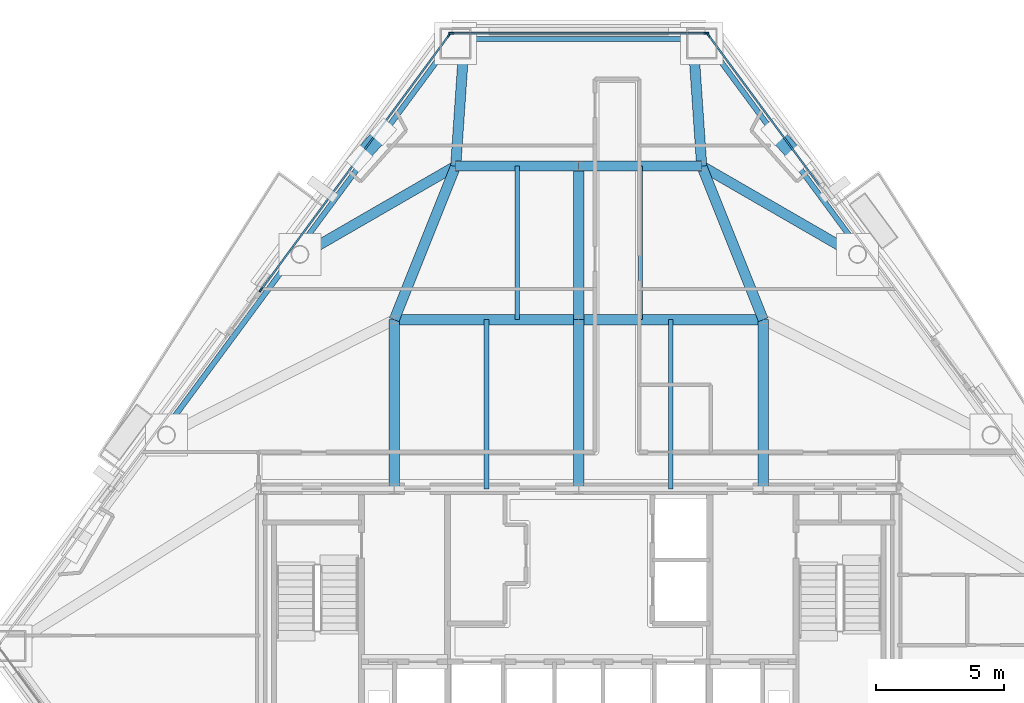
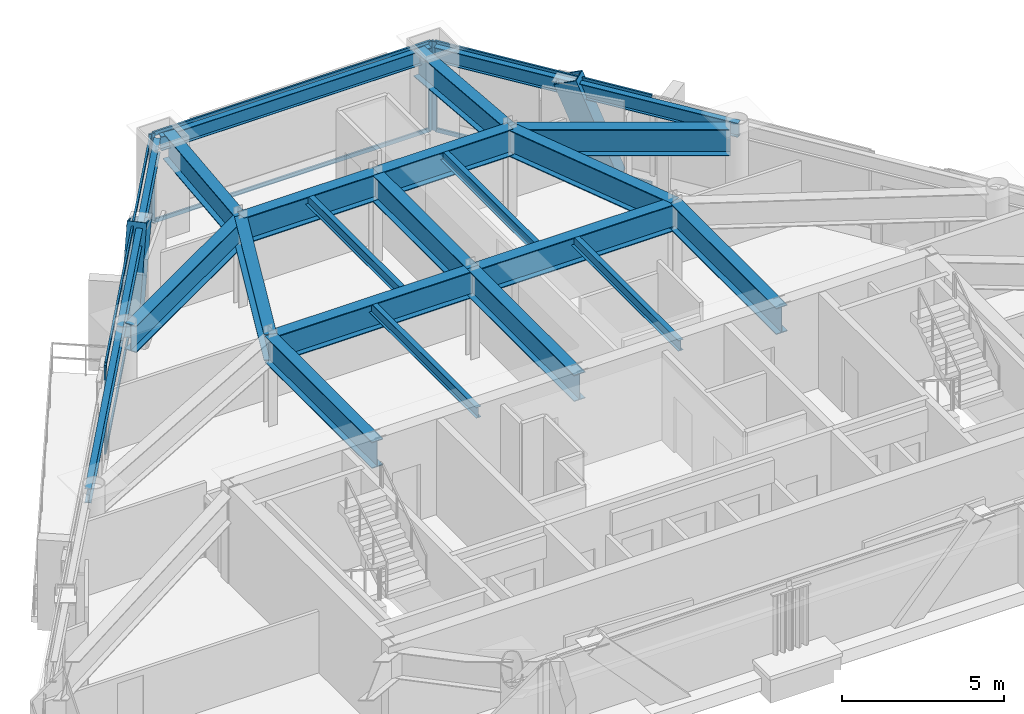
# One storey, part 4 of 11: 22 beams, 13 members, 3 elements without a shape of their own.
"""IFC4 building model written with IfcOpenShell, lengths in metres."""

from ifc_helpers import new_model, si_unit, direction, frame, origin, origin_2d, place, context, subcontext, project, spatial, rectangle, hollow_rectangle, i_section, extrude, material, layer, layer_set, material_profile, profile_set, type_object, element, aggregate, save


model = new_model("IFC4")

# Units and contexts
model_context = context("Model", 3, precision=1e-05, world=origin(), true_north=direction((0.0, 1.0)))
body_context = subcontext(model_context, "Body", "Model", "MODEL_VIEW")
ifc_project = project(units=[si_unit("LENGTHUNIT", "METRE"), si_unit("AREAUNIT", "SQUARE_METRE"), si_unit("VOLUMEUNIT", "CUBIC_METRE"), si_unit("PLANEANGLEUNIT", "RADIAN"), si_unit("MASSUNIT", "GRAM", prefix="KILO")], contexts=[model_context])

# Site, building, storey
site_placement = place(None, origin())
site = spatial("IfcSite", under=ifc_project, at=site_placement, CompositionType="ELEMENT")
building_placement = place(site_placement, origin())
building = spatial("IfcBuilding", under=site, at=building_placement, Name="Talgorran Terracotta Tower", CompositionType="ELEMENT")
storey_placement = place(building_placement, frame((0.0, 0.0, 154.5)))
storey = spatial("IfcBuildingStorey", under=building, at=storey_placement, Name="L40", CompositionType="ELEMENT", Elevation=154.5)

# Beams
ifc_material_1 = material(Name="Steel Grade 350 (350L0)", Category="steel")
ifc_material_profile_1 = material_profile(ifc_material_1, i_section(OverallWidth=0.39990234375, OverallDepth=1.0, WebThickness=0.01611328125, FlangeThickness=0.031005859375, at=origin_2d()), Name="1000WB296")
ifc_profile_set_1 = profile_set([ifc_material_profile_1], Name="Steel Grade 350 (350L0)")
beam_type_1 = type_object("IfcBeamType", Name="BM_1000WB296", PredefinedType="BEAM", material=ifc_profile_set_1)
for number, where, z_axis, x_axis, name in (
    (1, (4.45703125, 13.4345703125, 2.85009765625), (0.067973543266, -0.99768712401, 0.0), (0.99768712401, 0.067973543266, 0.0), "L40 Perimeter Step Girder 9B"),
    (2, (-4.45703125, 13.4345703125, 2.85009765625), (-0.067973543266, -0.99768712401, 0.0), (0.99768712401, -0.067973543266, 0.0), "L40 Perimeter Step Girder 10B"),
):
    element("IfcBeam", number, at=place(storey_placement, frame(where, z_axis=z_axis, x_axis=x_axis)), inside=storey, type_object=beam_type_1, Name=name, PredefinedType="BEAM", context=body_context, shape_type="SweptSolid", body=[
        extrude(i_section(OverallWidth=0.39990234375, OverallDepth=1.0, WebThickness=0.01611328125, FlangeThickness=0.031005859375, at=origin_2d()), origin(), (0.0, 0.0, 1.0), 5.04638671875),
    ])
for number, where, z_axis, x_axis, name in (
    (3, (-7.199951171875, -4.199951171875, 2.85009765625), (0.0, 1.0, 0.0), (-1.0, 0.0, 0.0), "L40 Floor Girder G01"),
    (4, (0.0, -4.199951171875, 2.85009765625), (0.0, 1.0, 0.0), (-1.0, 0.0, 0.0), "L40 Floor Girder G02"),
    (5, (7.199951171875, -4.199951171875, 2.85009765625), (0.0, 1.0, 0.0), (-1.0, 0.0, 0.0), "L40 Floor Girder G03"),
):
    element("IfcBeam", number, at=place(storey_placement, frame(where, z_axis=z_axis, x_axis=x_axis)), inside=storey, type_object=beam_type_1, Name=name, PredefinedType="BEAM", context=body_context, shape_type="SweptSolid", body=[
        extrude(i_section(OverallWidth=0.39990234375, OverallDepth=1.0, WebThickness=0.01611328125, FlangeThickness=0.031005859375, at=origin_2d()), origin(), (0.0, 0.0, 1.0), 6.599853515625),
    ])
for number, where, z_axis, x_axis, name in (
    (6, (-7.199951171875, 2.39990234375, 2.85009765625), (1.0, 0.0, 0.0), (0.0, 1.0, 0.0), "L40 Floor Girder G04"),
    (7, (0.0, 2.39990234375, 2.85009765625), (1.0, 0.0, 0.0), (0.0, 1.0, 0.0), "L40 Floor Girder G05"),
):
    element("IfcBeam", number, at=place(storey_placement, frame(where, z_axis=z_axis, x_axis=x_axis)), inside=storey, type_object=beam_type_1, Name=name, PredefinedType="BEAM", context=body_context, shape_type="SweptSolid", body=[
        extrude(i_section(OverallWidth=0.39990234375, OverallDepth=1.0, WebThickness=0.01611328125, FlangeThickness=0.031005859375, at=origin_2d()), origin(), (0.0, 0.0, 1.0), 7.199951171875),
    ])
beam_1_placement = place(storey_placement, frame((-7.199951171875, 2.39990234375, 2.85009765625), z_axis=(0.371377648723, 0.928481901832, 0.0), x_axis=(-0.928481901832, 0.371377648723, 0.0)))
element("IfcBeam", 8, at=beam_1_placement, inside=storey, type_object=beam_type_1, Name="L40 Floor Girder G08", PredefinedType="BEAM", context=body_context, shape_type="SweptSolid", body=[
    extrude(i_section(OverallWidth=0.39990234375, OverallDepth=1.0, WebThickness=0.01611328125, FlangeThickness=0.031005859375, at=origin_2d()), origin(), (0.0, 0.0, 1.0), 6.462158203125),
])
beam_2_placement = place(storey_placement, frame((0.0, 2.39990234375, 2.85009765625), z_axis=(0.0, 1.0, 0.0), x_axis=(-1.0, 0.0, 0.0)))
element("IfcBeam", 9, at=beam_2_placement, inside=storey, type_object=beam_type_1, Name="L40 Floor Girder G09", PredefinedType="BEAM", context=body_context, shape_type="SweptSolid", body=[
    extrude(i_section(OverallWidth=0.39990234375, OverallDepth=1.0, WebThickness=0.01611328125, FlangeThickness=0.031005859375, at=origin_2d()), origin(), (0.0, 0.0, 1.0), 6.0),
])
beam_3_placement = place(storey_placement, frame((7.199951171875, 2.39990234375, 2.85009765625), z_axis=(-0.371377648723, 0.928481901832, 0.0), x_axis=(-0.928481901832, -0.371377648723, 0.0)))
element("IfcBeam", 10, at=beam_3_placement, inside=storey, type_object=beam_type_1, Name="L40 Floor Girder G10", PredefinedType="BEAM", context=body_context, shape_type="SweptSolid", body=[
    extrude(i_section(OverallWidth=0.39990234375, OverallDepth=1.0, WebThickness=0.01611328125, FlangeThickness=0.031005859375, at=origin_2d()), origin(), (0.0, 0.0, 1.0), 6.462158203125),
])
for number, where, z_axis, x_axis, name in (
    (11, (-4.800048828125, 8.39990234375, 2.85009765625), (1.0, 0.0, 0.0), (0.0, 1.0, 0.0), "L40 Floor Girder G11"),
    (12, (0.0, 8.39990234375, 2.85009765625), (1.0, 0.0, 0.0), (0.0, 1.0, 0.0), "L40 Floor Girder G12"),
):
    element("IfcBeam", number, at=place(storey_placement, frame(where, z_axis=z_axis, x_axis=x_axis)), inside=storey, type_object=beam_type_1, Name=name, PredefinedType="BEAM", context=body_context, shape_type="SweptSolid", body=[
        extrude(i_section(OverallWidth=0.39990234375, OverallDepth=1.0, WebThickness=0.01611328125, FlangeThickness=0.031005859375, at=origin_2d()), origin(), (0.0, 0.0, 1.0), 4.800048828125),
    ])
for number, where, z_axis, x_axis, name in (
    (13, (-4.800048828125, 8.39990234375, 2.85009765625), (-0.865887916747, -0.500238058959, 0.0), (0.500238058959, -0.865887916747, 0.0), "L40 Floor Girder G13"),
    (14, (4.800048828125, 8.39990234375, 2.85009765625), (0.865887916747, -0.500238058959, 0.0), (0.500238058959, 0.865887916747, 0.0), "L40 Floor Girder G14"),
):
    element("IfcBeam", number, at=place(storey_placement, frame(where, z_axis=z_axis, x_axis=x_axis)), inside=storey, type_object=beam_type_1, Name=name, PredefinedType="BEAM", context=body_context, shape_type="SweptSolid", body=[
        extrude(i_section(OverallWidth=0.39990234375, OverallDepth=1.0, WebThickness=0.01611328125, FlangeThickness=0.031005859375, at=origin_2d()), origin(), (0.0, 0.0, 1.0), 6.789794921875),
    ])
ifc_material_2 = material(Name="Steel S355 (300PLUS)", Category="steel")
ifc_material_profile_2 = material_profile(ifc_material_2, i_section(OverallWidth=0.177734375, OverallDepth=0.406494140625, WebThickness=0.0078125, FlangeThickness=0.0126953125, at=origin_2d()), Name="410UB59.7")
ifc_profile_set_2 = profile_set([ifc_material_profile_2], Name="Steel S355 (300PLUS)")
beam_type_2 = type_object("IfcBeamType", Name="BM_JS_410UB60", PredefinedType="JOIST", material=ifc_profile_set_2)
for number, where, z_axis, x_axis, name in (
    (15, (-3.60009765625, -4.199951171875, 3.146728515625), (0.0, 1.0, 0.0), (-1.0, 0.0, 0.0), "L40 Secondary Joist J01"),
    (16, (3.60009765625, -4.199951171875, 3.146728515625), (0.0, 1.0, 0.0), (-1.0, 0.0, 0.0), "L40 Secondary Joist J02"),
):
    element("IfcBeam", number, at=place(storey_placement, frame(where, z_axis=z_axis, x_axis=x_axis)), inside=storey, type_object=beam_type_2, Name=name, PredefinedType="JOIST", context=body_context, shape_type="SweptSolid", body=[
        extrude(i_section(OverallWidth=0.177734375, OverallDepth=0.406494140625, WebThickness=0.0078125, FlangeThickness=0.0126953125, at=origin_2d()), origin(), (0.0, 0.0, 1.0), 6.599853515625),
    ])
for number, where, z_axis, x_axis, name in (
    (17, (-2.39990234375, 2.39990234375, 3.146728515625), (0.0, 1.0, 0.0), (-1.0, 0.0, 0.0), "L40 Secondary Joist J03"),
    (18, (2.39990234375, 2.39990234375, 3.146728515625), (0.0, 1.0, 0.0), (-1.0, 0.0, 0.0), "L40 Secondary Joist J04"),
):
    element("IfcBeam", number, at=place(storey_placement, frame(where, z_axis=z_axis, x_axis=x_axis)), inside=storey, type_object=beam_type_2, Name=name, PredefinedType="JOIST", context=body_context, shape_type="SweptSolid", body=[
        extrude(i_section(OverallWidth=0.177734375, OverallDepth=0.406494140625, WebThickness=0.0078125, FlangeThickness=0.0126953125, at=origin_2d()), origin(), (0.0, 0.0, 1.0), 6.0),
    ])
ifc_material_profile_3 = material_profile(ifc_material_2, i_section(OverallWidth=0.209228515625, OverallDepth=0.532958984375, WebThickness=0.01025390625, FlangeThickness=0.015625, at=origin_2d()), Name="530UB92.4")
ifc_profile_set_3 = profile_set([ifc_material_profile_3], Name="Steel S355 (300PLUS)")
beam_type_3 = type_object("IfcBeamType", Name="BM_SP_530UB92", PredefinedType="SPANDREL", material=ifc_profile_set_3)
beam_4_placement = place(storey_placement, frame((11.027587890625, 5.056640625, 3.08349609375), z_axis=(-0.594068215055, 0.804414666613, 0.0), x_axis=(-0.804414666613, -0.594068215055, 0.0)))
element("IfcBeam", 19, at=beam_4_placement, inside=storey, type_object=beam_type_3, Name="L40 Perimeter Spandrel Beam FC4-MC5", PredefinedType="SPANDREL", context=body_context, shape_type="SweptSolid", body=[
    extrude(i_section(OverallWidth=0.209228515625, OverallDepth=0.532958984375, WebThickness=0.01025390625, FlangeThickness=0.015625, at=origin_2d()), origin(), (0.0, 0.0, 1.0), 10.22900390625),
])
beam_5_placement = place(storey_placement, frame((4.80615234375, 13.35791015625, 3.08349609375), z_axis=(-1.0, 0.0, 0.0), x_axis=(0.0, -1.0, 0.0)))
element("IfcBeam", 20, at=beam_5_placement, inside=storey, type_object=beam_type_3, Name="L40 Perimeter Spandrel Beam MC5-MC6", PredefinedType="SPANDREL", context=body_context, shape_type="SweptSolid", body=[
    extrude(i_section(OverallWidth=0.209228515625, OverallDepth=0.532958984375, WebThickness=0.01025390625, FlangeThickness=0.015625, at=origin_2d()), origin(), (0.0, 0.0, 1.0), 9.6123046875),
])
beam_6_placement = place(storey_placement, frame((-4.950927734375, 13.284912109375, 3.08349609375), z_axis=(-0.594068215055, -0.804414666613, 0.0), x_axis=(0.804414666613, -0.594068215055, 0.0)))
element("IfcBeam", 21, at=beam_6_placement, inside=storey, type_object=beam_type_3, Name="L40 Perimeter Spandrel Beam MC6-FC5", PredefinedType="SPANDREL", context=body_context, shape_type="SweptSolid", body=[
    extrude(i_section(OverallWidth=0.209228515625, OverallDepth=0.532958984375, WebThickness=0.01025390625, FlangeThickness=0.015625, at=origin_2d()), origin(), (0.0, 0.0, 1.0), 10.22900390625),
])
beam_7_placement = place(storey_placement, frame((-11.027587890625, 5.056640625, 3.08349609375), z_axis=(-0.594084887131, -0.804402353852, 0.0), x_axis=(0.804402353852, -0.594084887131, 0.0)))
element("IfcBeam", 22, at=beam_7_placement, inside=storey, type_object=beam_type_3, Name="L40 Perimeter Spandrel Beam FC5-FC6", PredefinedType="SPANDREL", context=body_context, shape_type="SweptSolid", body=[
    extrude(i_section(OverallWidth=0.209228515625, OverallDepth=0.532958984375, WebThickness=0.01025390625, FlangeThickness=0.015625, at=origin_2d()), origin(), (0.0, 0.0, 1.0), 8.767578125),
])

# Members
ifc_material_profile_4 = material_profile(ifc_material_1, hollow_rectangle(XDim=0.6201171875, YDim=0.780029296875, WallThickness=0.0419921875, at=origin_2d()), Name="WBOX780X620X42")
ifc_profile_set_4 = profile_set([ifc_material_profile_4], Name="Steel Grade 350 (350L0)")
member_type_1 = type_object("IfcMemberType", Name="MB_MEGA_780", PredefinedType="BRACE", material=ifc_profile_set_4)
for number, where, z_axis, x_axis, name in (
    (23, (8.56640625, 8.6923828125, -0.02490234375), (-0.253653232178, 0.283865855383, 0.924705474166), (-0.74567453961, -0.666310348845, 0.0), "L40 Exterior Face Mega-Brace MB-2 (NEU)"),
    (24, (-8.56640625, 8.6923828125, -0.02490234375), (0.253653232178, 0.283865855383, 0.924705474166), (-0.74567453961, 0.666310348845, 0.0), "L40 Exterior Face Mega-Brace MB-2 (NWU)"),
):
    element("IfcMember", number, at=place(storey_placement, frame(where, z_axis=z_axis, x_axis=x_axis)), inside=storey, type_object=member_type_1, Name=name, PredefinedType="BRACE", context=body_context, shape_type="SweptSolid", body=[
        extrude(hollow_rectangle(XDim=0.6201171875, YDim=0.780029296875, WallThickness=0.0419921875, at=origin_2d()), origin(), (0.0, 0.0, 1.0), 3.6767578125),
    ])

# Curtain wall, member
ifc_material_3 = material(Name="Unitised Low-E Double Glazing", Category="glass")
ifc_layer = layer(ifc_material_3, 0.199951171875, Name="CW_SYS2_RES_LOW")
ifc_layer_set = layer_set([ifc_layer], Name="Unitised Low-E Double Glazing")
curtain_wall_type = type_object("IfcCurtainWallType", Name="CW_SYS2_RES_LOW", PredefinedType="NOTDEFINED", material=ifc_layer_set)
curtain_wall_1_placement = place(storey_placement, origin())
curtain_wall_1 = element("IfcCurtainWall", 25, at=curtain_wall_1_placement, inside=storey, type_object=curtain_wall_type, Name="CW-L40-F41", PredefinedType="NOTDEFINED")
ifc_material_4 = material(Name="Architectural Aluminium 6063-T6", Category="aluminium")
ifc_material_profile_5 = material_profile(ifc_material_4, rectangle(XDim=0.06494140625, YDim=0.18505859375, at=origin_2d()), Name="CWM65X185")
ifc_profile_set_5 = profile_set([ifc_material_profile_5], Name="Architectural Aluminium 6063-T6")
member_type_2 = type_object("IfcMemberType", Name="MUL_65X185", PredefinedType="MULLION", material=ifc_profile_set_5)
member_1_placement = place(storey_placement, frame((5.051025390625, 13.51953125, 0.0), z_axis=(0.0, 0.0, 1.0), x_axis=(-0.804410006266, -0.594074525476, 0.0)))
member_1 = element("IfcMember", 26, at=member_1_placement, type_object=member_type_2, Name="CW-L40-41 mullion 3", PredefinedType="MULLION", context=body_context, shape_type="SweptSolid", body=[
    extrude(rectangle(XDim=0.06494140625, YDim=0.18505859375, at=origin_2d()), origin(), (0.0, 0.0, 1.0), 3.35009765625),
])

# Curtain wall, members
curtain_wall_2_placement = place(storey_placement, origin())
curtain_wall_2 = element("IfcCurtainWall", 27, at=curtain_wall_2_placement, inside=storey, type_object=curtain_wall_type, Name="CW-L40-F4", PredefinedType="NOTDEFINED")
member_2_placement = place(storey_placement, frame((4.9755859375, 13.577880859375, 0.0), z_axis=(0.0, 0.0, 1.0), x_axis=(0.0, -1.0, 0.0)))
member_2 = element("IfcMember", 28, at=member_2_placement, type_object=member_type_2, Name="CW-L40-4 mullion 1", PredefinedType="MULLION", context=body_context, shape_type="SweptSolid", body=[
    extrude(rectangle(XDim=0.06494140625, YDim=0.18505859375, at=origin_2d()), origin(), (0.0, 0.0, 1.0), 3.35009765625),
])
member_3_placement = place(storey_placement, frame((-4.9755859375, 13.577880859375, 0.0), z_axis=(0.0, 0.0, 1.0), x_axis=(0.0, -1.0, 0.0)))
member_3 = element("IfcMember", 29, at=member_3_placement, type_object=member_type_2, Name="CW-L40-4 mullion 2", PredefinedType="MULLION", context=body_context, shape_type="SweptSolid", body=[
    extrude(rectangle(XDim=0.06494140625, YDim=0.18505859375, at=origin_2d()), origin(), (0.0, 0.0, 1.0), 3.35009765625),
])

curtain_wall_3_placement = place(storey_placement, origin())
curtain_wall_3 = element("IfcCurtainWall", 30, at=curtain_wall_3_placement, inside=storey, type_object=curtain_wall_type, Name="CW-L40-F60", PredefinedType="NOTDEFINED")
member_4_placement = place(storey_placement, frame((-5.051025390625, 13.51953125, 0.0), z_axis=(0.0, 0.0, 1.0), x_axis=(0.8044117586, -0.59407215271, 0.0)))
member_4 = element("IfcMember", 31, at=member_4_placement, type_object=member_type_2, Name="CW-L40-60 mullion 1", PredefinedType="MULLION", context=body_context, shape_type="SweptSolid", body=[
    extrude(rectangle(XDim=0.06494140625, YDim=0.18505859375, at=origin_2d()), origin(), (0.0, 0.0, 1.0), 3.35009765625),
])
member_5_placement = place(storey_placement, frame((-12.404052734375, 3.563232421875, 0.0), z_axis=(0.0, 0.0, 1.0), x_axis=(0.8044117586, -0.59407215271, 0.0)))
member_5 = element("IfcMember", 32, at=member_5_placement, type_object=member_type_2, Name="CW-L40-60 mullion 2", PredefinedType="MULLION", context=body_context, shape_type="SweptSolid", body=[
    extrude(rectangle(XDim=0.06494140625, YDim=0.18505859375, at=origin_2d()), origin(), (0.0, 0.0, 1.0), 3.35009765625),
])

# Member
ifc_material_profile_6 = material_profile(ifc_material_4, rectangle(XDim=0.06494140625, YDim=0.14990234375, at=origin_2d()), Name="CWT65X150")
ifc_profile_set_6 = profile_set([ifc_material_profile_6], Name="Architectural Aluminium 6063-T6")
member_type_3 = type_object("IfcMemberType", Name="TRN_65X150", PredefinedType="USERDEFINED", material=ifc_profile_set_6)
member_6_placement = place(storey_placement, frame((9.40625, 7.622314453125, 0.032470703125), z_axis=(-0.594074996969, 0.804409658058, 0.0), x_axis=(-0.804409658058, -0.594074996969, 0.0)))
member_6 = element("IfcMember", 33, at=member_6_placement, type_object=member_type_3, Name="CW-L40-41 transom 2.1", ObjectType="TRANSOM", PredefinedType="USERDEFINED", context=body_context, shape_type="SweptSolid", body=[
    extrude(rectangle(XDim=0.06494140625, YDim=0.14990234375, at=origin_2d()), origin(), (0.0, 0.0, 1.0), 7.298583984375),
])

member_7_placement = place(storey_placement, frame((9.40625, 7.622314453125, 3.3173828125), z_axis=(-0.594074996969, 0.804409658058, 0.0), x_axis=(-0.804409658058, -0.594074996969, 0.0)))
member_7 = element("IfcMember", 34, at=member_7_placement, type_object=member_type_3, Name="CW-L40-41 transom 2.2", ObjectType="TRANSOM", PredefinedType="USERDEFINED", context=body_context, shape_type="SweptSolid", body=[
    extrude(rectangle(XDim=0.06494140625, YDim=0.14990234375, at=origin_2d()), origin(), (0.0, 0.0, 1.0), 7.298583984375),
])

aggregate(curtain_wall_1, [member_1, member_6, member_7])

member_8_placement = place(storey_placement, frame((4.943115234375, 13.577880859375, 0.032470703125), z_axis=(-1.0, 0.0, 0.0), x_axis=(0.0, -1.0, 0.0)))
member_8 = element("IfcMember", 35, at=member_8_placement, type_object=member_type_3, Name="CW-L40-4 transom 1.1", ObjectType="TRANSOM", PredefinedType="USERDEFINED", context=body_context, shape_type="SweptSolid", body=[
    extrude(rectangle(XDim=0.06494140625, YDim=0.14990234375, at=origin_2d()), origin(), (0.0, 0.0, 1.0), 9.88623046875),
])

member_9_placement = place(storey_placement, frame((4.943115234375, 13.577880859375, 3.3173828125), z_axis=(-1.0, 0.0, 0.0), x_axis=(0.0, -1.0, 0.0)))
member_9 = element("IfcMember", 36, at=member_9_placement, type_object=member_type_3, Name="CW-L40-4 transom 1.2", ObjectType="TRANSOM", PredefinedType="USERDEFINED", context=body_context, shape_type="SweptSolid", body=[
    extrude(rectangle(XDim=0.06494140625, YDim=0.14990234375, at=origin_2d()), origin(), (0.0, 0.0, 1.0), 9.88623046875),
])

aggregate(curtain_wall_2, [member_2, member_3, member_8, member_9])

member_10_placement = place(storey_placement, frame((-5.0703125, 13.493408203125, 0.032470703125), z_axis=(-0.594079350759, -0.804406442665, 0.0), x_axis=(0.804406442665, -0.594079350759, 0.0)))
member_10 = element("IfcMember", 37, at=member_10_placement, type_object=member_type_3, Name="CW-L40-60 transom 1.1", ObjectType="TRANSOM", PredefinedType="USERDEFINED", context=body_context, shape_type="SweptSolid", body=[
    extrude(rectangle(XDim=0.06494140625, YDim=0.14990234375, at=origin_2d()), origin(), (0.0, 0.0, 1.0), 12.312255859375),
])

member_11_placement = place(storey_placement, frame((-5.0703125, 13.493408203125, 3.3173828125), z_axis=(-0.594079350759, -0.804406442665, 0.0), x_axis=(0.804406442665, -0.594079350759, 0.0)))
member_11 = element("IfcMember", 38, at=member_11_placement, type_object=member_type_3, Name="CW-L40-60 transom 1.2", ObjectType="TRANSOM", PredefinedType="USERDEFINED", context=body_context, shape_type="SweptSolid", body=[
    extrude(rectangle(XDim=0.06494140625, YDim=0.14990234375, at=origin_2d()), origin(), (0.0, 0.0, 1.0), 12.312255859375),
])

aggregate(curtain_wall_3, [member_4, member_5, member_10, member_11])

save(model, "model.ifc")
